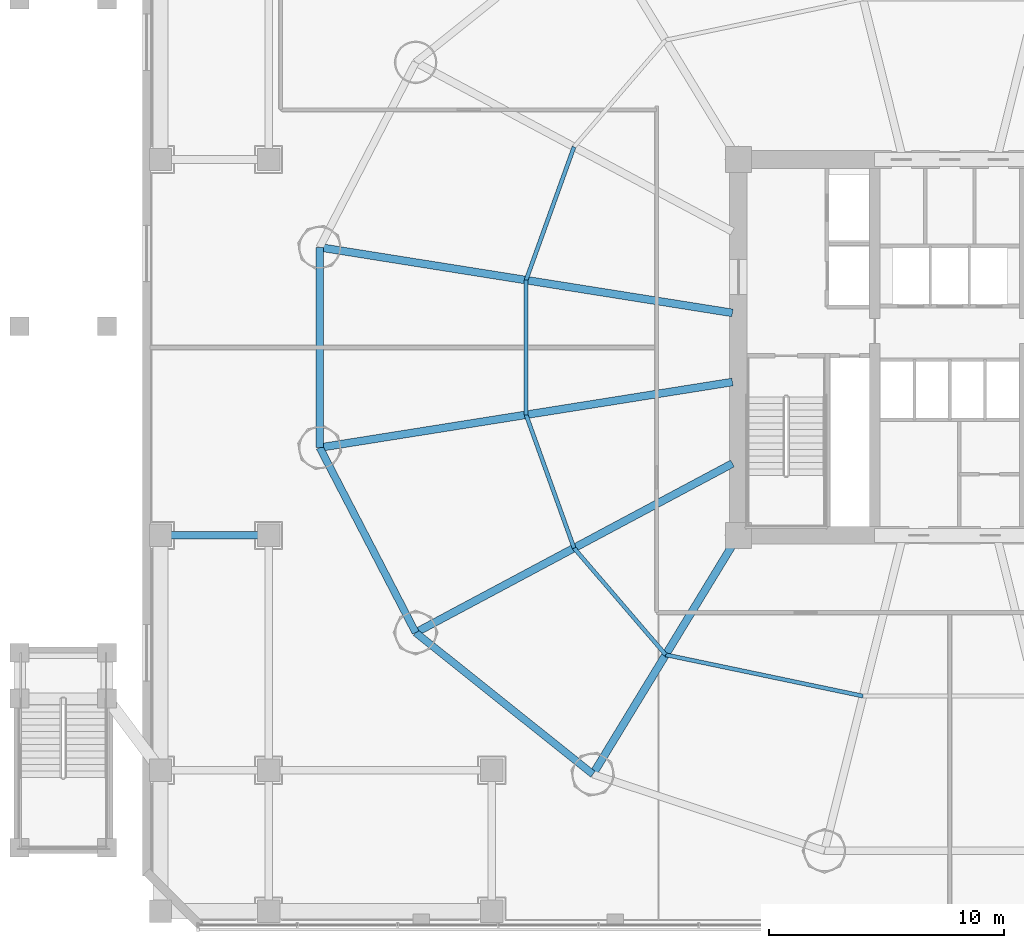
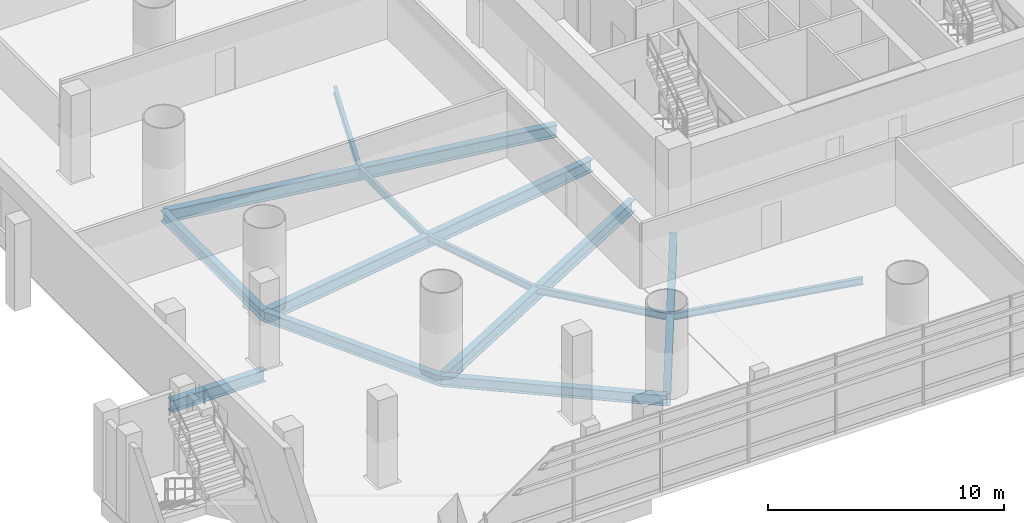
# One storey, part 5 of 36: 13 beams.
"""IFC4 building model written with IfcOpenShell, lengths in metres."""

from ifc_helpers import new_model, si_unit, direction, frame, origin, origin_2d, place, context, subcontext, project, spatial, i_section, extrude, material, material_profile, profile_set, type_object, element, save


model = new_model("IFC4")

# Units and contexts
model_context = context("Model", 3, precision=1e-05, world=origin(), true_north=direction((-0.2419218956, 0.970295726276)))
body_context = subcontext(model_context, "Body", "Model", "MODEL_VIEW")
ifc_project = project(units=[si_unit("LENGTHUNIT", "METRE"), si_unit("AREAUNIT", "SQUARE_METRE"), si_unit("VOLUMEUNIT", "CUBIC_METRE"), si_unit("PLANEANGLEUNIT", "RADIAN"), si_unit("MASSUNIT", "GRAM", prefix="KILO")], contexts=[model_context])

# Site, building, storey
site_placement = place(None, origin())
site = spatial("IfcSite", under=ifc_project, at=site_placement, CompositionType="ELEMENT")
building_placement = place(site_placement, origin())
building = spatial("IfcBuilding", under=site, at=building_placement, Name="Cobrevalo Terracotta Tower", CompositionType="ELEMENT")
storey_placement = place(building_placement, frame((0.0, 0.0, 14.39990234375)))
storey = spatial("IfcBuildingStorey", under=building, at=storey_placement, Name="L03", CompositionType="ELEMENT", Elevation=14.39990234375)

# Beams
ifc_material = material(Name="Steel S355", Category="steel")
ifc_material_profile_1 = material_profile(ifc_material, i_section(OverallWidth=0.324951171875, OverallDepth=0.615966796875, WebThickness=0.013916015625, FlangeThickness=0.021484375, at=origin_2d()), Name="W 610x174")
ifc_profile_set_1 = profile_set([ifc_material_profile_1], Name="Steel S355")
beam_type_1 = type_object("IfcBeamType", Name="Structural Beam W 610x174 (Steel S355)", PredefinedType="BEAM", material=ifc_profile_set_1)
beam_1_placement = place(storey_placement, frame((4.39990234375, 18.800048828125, -0.60791015625), z_axis=(1.0, 0.0, 0.0), x_axis=(0.0, 1.0, 0.0)))
element("IfcBeam", 1, at=beam_1_placement, inside=storey, type_object=beam_type_1, Name="L03 podium grid beam G1-GC to G2-GC", PredefinedType="BEAM", context=body_context, shape_type="SweptSolid", body=[
    extrude(i_section(OverallWidth=0.324951171875, OverallDepth=0.615966796875, WebThickness=0.013916015625, FlangeThickness=0.021484375, at=origin_2d()), origin(), (0.0, 0.0, 1.0), 4.60009765625),
])
ifc_material_profile_2 = material_profile(ifc_material, i_section(OverallWidth=0.3291015625, OverallDepth=0.635009765625, WebThickness=0.017822265625, FlangeThickness=0.031005859375, at=origin_2d()), Name="W 610x241")
ifc_profile_set_2 = profile_set([ifc_material_profile_2], Name="Steel S355")
beam_type_2 = type_object("IfcBeamType", Name="Structural Beam W 610x241 (Steel S355)", PredefinedType="BEAM", material=ifc_profile_set_2)
for number, where, z_axis, x_axis, name in (
    (2, (11.175537109375, 31.062744140625, -0.617431640625), (0.987607924622, -0.156941349628, 0.0), (0.156941349628, 0.987607924622, 0.0), "L03 radial floor girder 08"),
    (3, (11.175537109375, 22.537353515625, -0.617431640625), (0.987607924622, 0.156941349628, 0.0), (-0.156941349628, 0.987607924622, 0.0), "L03 radial floor girder 09"),
):
    element("IfcBeam", number, at=place(storey_placement, frame(where, z_axis=z_axis, x_axis=x_axis)), inside=storey, type_object=beam_type_2, Name=name, PredefinedType="BEAM", context=body_context, shape_type="SweptSolid", body=[
        extrude(i_section(OverallWidth=0.3291015625, OverallDepth=0.635009765625, WebThickness=0.017822265625, FlangeThickness=0.031005859375, at=origin_2d()), origin(), (0.0, 0.0, 1.0), 17.7900390625),
    ])
beam_2_placement = place(storey_placement, frame((15.25927734375, 14.660888671875, -0.617431640625), z_axis=(0.88218223571, 0.470908168329, 0.0), x_axis=(-0.470908168329, 0.88218223571, 0.0)))
element("IfcBeam", 4, at=beam_2_placement, inside=storey, type_object=beam_type_2, Name="L03 radial floor girder 10", PredefinedType="BEAM", context=body_context, shape_type="SweptSolid", body=[
    extrude(i_section(OverallWidth=0.3291015625, OverallDepth=0.635009765625, WebThickness=0.017822265625, FlangeThickness=0.031005859375, at=origin_2d()), origin(), (0.0, 0.0, 1.0), 15.286865234375),
])
beam_3_placement = place(storey_placement, frame((22.80517578125, 8.63232421875, -0.617431640625), z_axis=(0.520300780853, 0.853983077961, 0.0), x_axis=(-0.853983077961, 0.520300780853, 0.0)))
element("IfcBeam", 5, at=beam_3_placement, inside=storey, type_object=beam_type_2, Name="L03 radial floor girder 11", PredefinedType="BEAM", context=body_context, shape_type="SweptSolid", body=[
    extrude(i_section(OverallWidth=0.3291015625, OverallDepth=0.635009765625, WebThickness=0.017822265625, FlangeThickness=0.031005859375, at=origin_2d()), origin(), (0.0, 0.0, 1.0), 11.90625),
])
ifc_material_profile_3 = material_profile(ifc_material, i_section(OverallWidth=0.1708984375, OverallDepth=0.35498046875, WebThickness=0.007080078125, FlangeThickness=0.01171875, at=origin_2d()), Name="W 360x51")
ifc_profile_set_3 = profile_set([ifc_material_profile_3], Name="Steel S355")
beam_type_3 = type_object("IfcBeamType", Name="Structural Joist W 360x51 (Steel S355)", PredefinedType="JOIST", material=ifc_profile_set_3)
beam_4_placement = place(storey_placement, frame((22.002197265625, 35.33984375, -0.477294921875), z_axis=(-0.338672151116, -0.940904444701, 0.0), x_axis=(0.940904444701, -0.338672151116, 0.0)))
element("IfcBeam", 6, at=beam_4_placement, inside=storey, type_object=beam_type_3, Name="L03 circumferential secondary floor joist 07", PredefinedType="JOIST", context=body_context, shape_type="SweptSolid", body=[
    extrude(i_section(OverallWidth=0.1708984375, OverallDepth=0.35498046875, WebThickness=0.007080078125, FlangeThickness=0.01171875, at=origin_2d()), origin(), (0.0, 0.0, 1.0), 6.029296875),
])
beam_5_placement = place(storey_placement, frame((19.960205078125, 29.666748046875, -0.477294921875), z_axis=(0.0, -1.0, 0.0), x_axis=(1.0, 0.0, 0.0)))
element("IfcBeam", 7, at=beam_5_placement, inside=storey, type_object=beam_type_3, Name="L03 circumferential secondary floor joist 08", PredefinedType="JOIST", context=body_context, shape_type="SweptSolid", body=[
    extrude(i_section(OverallWidth=0.1708984375, OverallDepth=0.35498046875, WebThickness=0.007080078125, FlangeThickness=0.01171875, at=origin_2d()), origin(), (0.0, 0.0, 1.0), 5.7333984375),
])
beam_6_placement = place(storey_placement, frame((19.960205078125, 23.933349609375, -0.477294921875), z_axis=(0.338672151116, -0.940904444701, 0.0), x_axis=(0.940904444701, 0.338672151116, 0.0)))
element("IfcBeam", 8, at=beam_6_placement, inside=storey, type_object=beam_type_3, Name="L03 circumferential secondary floor joist 09", PredefinedType="JOIST", context=body_context, shape_type="SweptSolid", body=[
    extrude(i_section(OverallWidth=0.1708984375, OverallDepth=0.35498046875, WebThickness=0.007080078125, FlangeThickness=0.01171875, at=origin_2d()), origin(), (0.0, 0.0, 1.0), 6.029296875),
])
beam_7_placement = place(storey_placement, frame((22.002197265625, 18.26025390625, -0.477294921875), z_axis=(0.651328404454, -0.758795960421, 0.0), x_axis=(0.758795960421, 0.651328404454, 0.0)))
element("IfcBeam", 9, at=beam_7_placement, inside=storey, type_object=beam_type_3, Name="L03 circumferential secondary floor joist 10", PredefinedType="JOIST", context=body_context, shape_type="SweptSolid", body=[
    extrude(i_section(OverallWidth=0.1708984375, OverallDepth=0.35498046875, WebThickness=0.007080078125, FlangeThickness=0.01171875, at=origin_2d()), origin(), (0.0, 0.0, 1.0), 5.98828125),
])
beam_8_placement = place(storey_placement, frame((25.902587890625, 13.71630859375, -0.477294921875), z_axis=(0.978784523904, -0.204892302848, 0.0), x_axis=(0.204892302848, 0.978784523904, 0.0)))
element("IfcBeam", 10, at=beam_8_placement, inside=storey, type_object=beam_type_3, Name="L03 circumferential secondary floor joist 11", PredefinedType="JOIST", context=body_context, shape_type="SweptSolid", body=[
    extrude(i_section(OverallWidth=0.1708984375, OverallDepth=0.35498046875, WebThickness=0.007080078125, FlangeThickness=0.01171875, at=origin_2d()), origin(), (0.0, 0.0, 1.0), 8.583984375),
])
ifc_material_profile_4 = material_profile(ifc_material, i_section(OverallWidth=0.31201171875, OverallDepth=0.54296875, WebThickness=0.0126953125, FlangeThickness=0.020263671875, at=origin_2d()), Name="W 530x150")
ifc_profile_set_4 = profile_set([ifc_material_profile_4], Name="Steel S355")
beam_type_4 = type_object("IfcBeamType", Name="Structural Spandrel W 530x150 (Steel S355)", PredefinedType="SPANDREL", material=ifc_profile_set_4)
beam_9_placement = place(storey_placement, frame((11.175537109375, 31.062744140625, -0.5712890625), z_axis=(0.0, -1.0, 0.0), x_axis=(1.0, 0.0, 0.0)))
element("IfcBeam", 11, at=beam_9_placement, inside=storey, type_object=beam_type_4, Name="L03 perimeter ring spandrel 08", PredefinedType="SPANDREL", context=body_context, shape_type="SweptSolid", body=[
    extrude(i_section(OverallWidth=0.31201171875, OverallDepth=0.54296875, WebThickness=0.0126953125, FlangeThickness=0.020263671875, at=origin_2d()), origin(), (0.0, 0.0, 1.0), 8.525390625),
])
beam_10_placement = place(storey_placement, frame((11.175537109375, 22.537353515625, -0.5712890625), z_axis=(0.460285838799, -0.88777077368, 0.0), x_axis=(0.88777077368, 0.460285838799, 0.0)))
element("IfcBeam", 12, at=beam_10_placement, inside=storey, type_object=beam_type_4, Name="L03 perimeter ring spandrel 09", PredefinedType="SPANDREL", context=body_context, shape_type="SweptSolid", body=[
    extrude(i_section(OverallWidth=0.31201171875, OverallDepth=0.54296875, WebThickness=0.0126953125, FlangeThickness=0.020263671875, at=origin_2d()), origin(), (0.0, 0.0, 1.0), 8.8720703125),
])
beam_11_placement = place(storey_placement, frame((15.25927734375, 14.660888671875, -0.5712890625), z_axis=(0.781280479891, -0.62418011162, 0.0), x_axis=(0.62418011162, 0.781280479891, 0.0)))
element("IfcBeam", 13, at=beam_11_placement, inside=storey, type_object=beam_type_4, Name="L03 perimeter ring spandrel 10", PredefinedType="SPANDREL", context=body_context, shape_type="SweptSolid", body=[
    extrude(i_section(OverallWidth=0.31201171875, OverallDepth=0.54296875, WebThickness=0.0126953125, FlangeThickness=0.020263671875, at=origin_2d()), origin(), (0.0, 0.0, 1.0), 9.658447265625),
])

save(model, "model.ifc")
